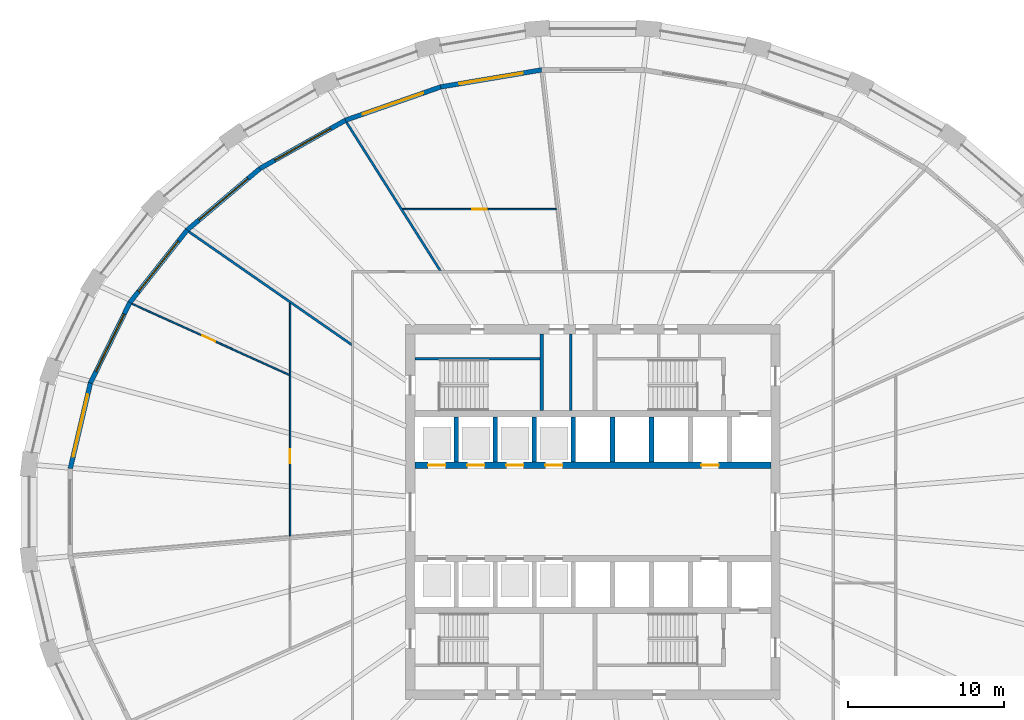
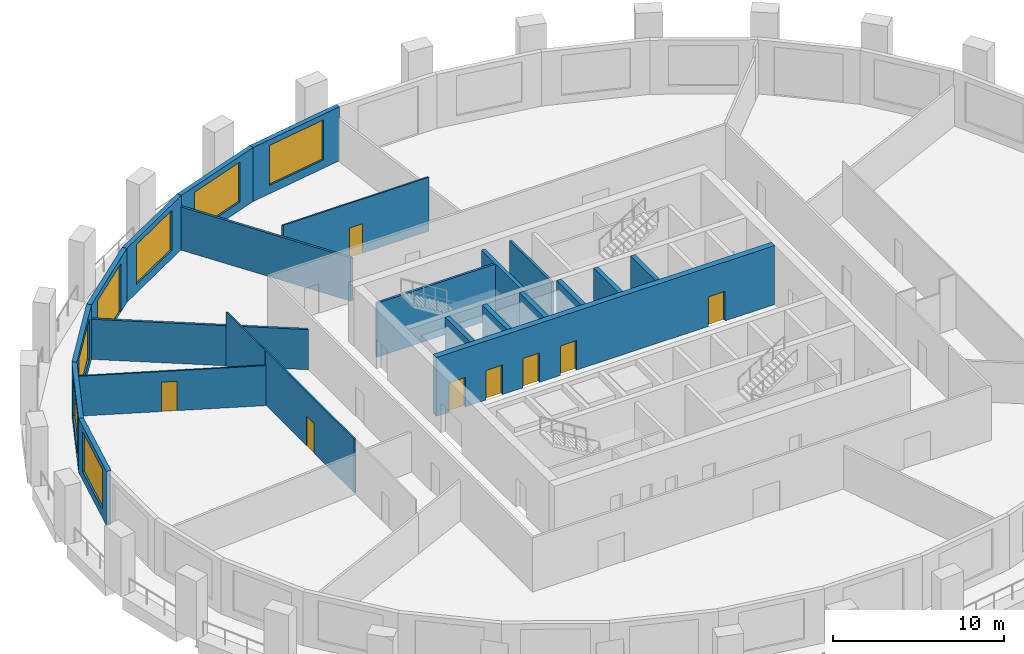
# One storey, part 5 of 10: 22 walls, 9 doors, 6 windows, 15 openings.
"""IFC4 building model written with IfcOpenShell, lengths in metres."""

from ifc_helpers import new_model, si_unit, direction, frame, frame_2d, origin, place, context, subcontext, project, spatial, polyline, rectangle, outline, extrude, material, layer, layer_set, type_object, element, fill, save


model = new_model("IFC4")

# Units and contexts
model_context = context("Model", 3, precision=1e-05, world=origin(), true_north=direction((0.0, 1.0)))
body_context = subcontext(model_context, "Body", "Model", "MODEL_VIEW")
ifc_project = project(units=[si_unit("LENGTHUNIT", "METRE"), si_unit("AREAUNIT", "SQUARE_METRE"), si_unit("VOLUMEUNIT", "CUBIC_METRE"), si_unit("PLANEANGLEUNIT", "RADIAN"), si_unit("MASSUNIT", "GRAM", prefix="KILO")], contexts=[model_context])

# Site, building, storey
site_placement = place(None, origin())
site = spatial("IfcSite", under=ifc_project, at=site_placement, CompositionType="ELEMENT")
building_placement = place(site_placement, origin())
building = spatial("IfcBuilding", under=site, at=building_placement, Name="Halqa Exchange Tower", CompositionType="ELEMENT")
storey_placement = place(building_placement, frame((0.0, 0.0, 94.89990234375)))
storey = spatial("IfcBuildingStorey", under=building, at=storey_placement, Name="L21", CompositionType="ELEMENT", Elevation=94.89990234375)

# Walls
ifc_material_1 = material(Name="Fire-rated gypsum board")
ifc_layer_1 = layer(ifc_material_1, 0.14990234375)
ifc_layer_set_1 = layer_set([ifc_layer_1], Name="Fire-rated gypsum board")
wall_type_1 = type_object("IfcWallType", Name="Fire partition EI 60 150", PredefinedType="PARTITIONING", material=ifc_layer_set_1)
wall_1_placement = place(storey_placement, frame((-25.888427734375, 17.96240234375, 0.0), z_axis=(0.0, 0.0, 1.0), x_axis=(0.821411896375, -0.570335424547, 0.0)))
element("IfcWall", 1, at=wall_1_placement, inside=storey, type_object=wall_type_1, Name="L21-PWL-003", PredefinedType="PARTITIONING", context=body_context, shape_type="SweptSolid", body=[
    extrude(outline(polyline([(0.0, -0.074951171875), (1.60107421875, -0.074951171875), (3.2021484375, -0.074951171875), (4.80322265625, -0.074951171875), (6.404541015625, -0.074951171875), (8.005615234375, -0.074951171875), (8.010009765625, -0.072021484375), (8.011962890625, -0.074951171875), (9.58447265625, -0.074951171875), (11.15673828125, -0.074951171875), (12.729248046875, -0.074951171875), (12.729248046875, -0.074462890625), (12.6787109375, -0.001708984375), (12.6787109375, -0.001708984375), (12.62548828125, 0.074951171875), (10.825439453125, 0.074951171875), (9.025390625, 0.074951171875), (7.225341796875, 0.074951171875), (5.42529296875, 0.074951171875), (3.625244140625, 0.074951171875), (1.8251953125, 0.074951171875), (0.025146484375, 0.074951171875), (0.00390625, -0.004150390625), (0.0, -0.066650390625), (0.0, -0.074951171875)])), origin(), (0.0, 0.0, 1.0), 2.860107421875),
])
wall_2_placement = place(storey_placement, frame((-15.789306640625, 24.9658203125, 0.0), z_axis=(0.0, 0.0, 1.0), x_axis=(0.53447919721, -0.845181630036, 0.0)))
element("IfcWall", 2, at=wall_2_placement, inside=storey, type_object=wall_type_1, Name="L21-PWL-008", PredefinedType="PARTITIONING", context=body_context, shape_type="SweptSolid", body=[
    extrude(outline(polyline([(0.0, -0.074951171875), (1.86376953125, -0.074951171875), (3.727294921875, -0.074951171875), (5.591064453125, -0.074951171875), (7.45458984375, -0.074951171875), (9.318359375, -0.074951171875), (11.181884765625, -0.074951171875), (11.276611328125, 0.07470703125), (11.276611328125, 0.074951171875), (9.748291015625, 0.074951171875), (8.22021484375, 0.074951171875), (6.69189453125, 0.074951171875), (6.690185546875, 0.072265625), (6.685791015625, 0.074951171875), (5.01953125, 0.074951171875), (3.353271484375, 0.074951171875), (1.687255859375, 0.074951171875), (0.02099609375, 0.074951171875), (0.003662109375, 0.000732421875), (0.0, -0.0732421875), (0.0, -0.074951171875)])), origin(), (0.0, 0.0, 1.0), 3.080078125),
])

# Wall, opening, door
ifc_material_2 = material(Name="Gypsum board")
ifc_layer_2 = layer(ifc_material_2, 0.10009765625)
ifc_layer_set_2 = layer_set([ifc_layer_2], Name="Gypsum board")
wall_type_2 = type_object("IfcWallType", Name="Partition 100 gypsum", PredefinedType="PARTITIONING", material=ifc_layer_set_2)
wall_3_placement = place(storey_placement, frame((-19.39990234375, -1.5419921875, 0.0), z_axis=(0.0, 0.0, 1.0), x_axis=(0.0, 1.0, 0.0)))
wall_3 = element("IfcWall", 3, at=wall_3_placement, inside=storey, type_object=wall_type_2, Name="L21-PWL-006", PredefinedType="PARTITIONING", context=body_context, shape_type="SweptSolid", body=[
    extrude(outline(polyline([(0.0078125, -0.050048828125), (1.865966796875, -0.050048828125), (3.72412109375, -0.050048828125), (5.582275390625, -0.050048828125), (7.440673828125, -0.050048828125), (9.298828125, -0.050048828125), (11.156982421875, -0.050048828125), (13.01513671875, -0.050048828125), (14.873291015625, -0.050048828125), (14.927001953125, 0.027587890625), (14.927001953125, 0.02734375), (14.9423828125, 0.049560546875), (14.9423828125, 0.050048828125), (13.42138671875, 0.050048828125), (11.900390625, 0.050048828125), (10.37939453125, 0.050048828125), (10.37841796875, 0.0478515625), (10.37353515625, 0.050048828125), (8.64453125, 0.050048828125), (6.915771484375, 0.050048828125), (5.186767578125, 0.050048828125), (3.457763671875, 0.050048828125), (1.72900390625, 0.050048828125), (0.0, 0.050048828125), (0.0, 0.044677734375), (0.0078125, -0.050048828125)])), origin(), (0.0, 0.0, 1.0), 3.85009765625),
])
opening_1_placement = place(wall_3_placement, frame((4.6669921875, 0.0, 0.0)))
opening_1 = element("IfcOpeningElement", 4, at=opening_1_placement, cuts=wall_3, Name="Opening 06-14", PredefinedType="OPENING", context=body_context, shape_type="SweptSolid", body=[
    extrude(rectangle(XDim=0.89990234375, YDim=2.10009765625, at=frame_2d((0.449951171875, 1.050048828125))), frame((0.0, 0.06201171875, 0.0), z_axis=(0.0, -1.0, 0.0), x_axis=(1.0, 0.0, 0.0)), (0.0, 0.0, 1.0), 0.1240234375),
])
ifc_material_3 = material(Name="Timber door leaf", Category="wood")
door_type_1 = type_object("IfcDoorType", Name="Door 900 x 2100", OperationType="SINGLE_SWING_LEFT", PredefinedType="DOOR", material=ifc_material_3)
door_1_placement = place(opening_1_placement, frame((0.89990234375, 0.0, 0.0), z_axis=(0.0, 0.0, 1.0), x_axis=(-1.0, 0.0, 0.0)))
door_1 = element("IfcDoor", 5, at=door_1_placement, inside=storey, type_object=door_type_1, Name="L21-IDR-014", OperationType="SINGLE_SWING_LEFT", OverallHeight=2.10009765625, OverallWidth=0.89990234375, PredefinedType="DOOR", context=body_context, shape_type="SweptSolid", body=[
    extrude(rectangle(XDim=0.89990234375, YDim=2.10009765625, at=frame_2d((0.449951171875, 1.050048828125))), frame((0.0, 0.02490234375, 0.0), z_axis=(0.0, -1.0, 0.0), x_axis=(1.0, 0.0, 0.0)), (0.0, 0.0, 1.0), 0.050048828125),
])
fill(opening_1, door_1)

wall_4_placement = place(storey_placement, frame((-19.4296875, 8.7734375, 0.0), z_axis=(0.0, 0.0, 1.0), x_axis=(-0.911086470292, 0.412215287987, 0.0)))
wall_4 = element("IfcWall", 6, at=wall_4_placement, inside=storey, type_object=wall_type_2, Name="L21-PWL-007", PredefinedType="PARTITIONING", context=body_context, shape_type="SweptSolid", body=[
    extrude(outline(polyline([(0.044921875, -0.050048828125), (1.8837890625, -0.050048828125), (3.722412109375, -0.050048828125), (5.561279296875, -0.050048828125), (7.39990234375, -0.050048828125), (9.23876953125, -0.050048828125), (11.077392578125, -0.050048828125), (11.090576171875, 0.00244140625), (11.092041015625, 0.050048828125), (9.243408203125, 0.050048828125), (7.394775390625, 0.050048828125), (5.5458984375, 0.050048828125), (3.697265625, 0.050048828125), (1.8486328125, 0.050048828125), (0.0, 0.050048828125), (0.0, 0.04931640625), (0.044921875, -0.050048828125)])), origin(), (0.0, 0.0, 1.0), 2.85009765625),
])
opening_2_placement = place(wall_4_placement, frame((5.23046875, 0.0, 0.0)))
opening_2 = element("IfcOpeningElement", 7, at=opening_2_placement, cuts=wall_4, Name="Opening 06-15", PredefinedType="OPENING", context=body_context, shape_type="SweptSolid", body=[
    extrude(rectangle(XDim=0.89990234375, YDim=2.10009765625, at=frame_2d((0.449951171875, 1.050048828125))), frame((0.0, 0.06201171875, 0.0), z_axis=(0.0, -1.0, 0.0), x_axis=(1.0, 0.0, 0.0)), (0.0, 0.0, 1.0), 0.1240234375),
])
door_2_placement = place(opening_2_placement, frame((0.89990234375, 0.0, 0.0), z_axis=(0.0, 0.0, 1.0), x_axis=(-1.0, 0.0, 0.0)))
door_2 = element("IfcDoor", 8, at=door_2_placement, inside=storey, type_object=door_type_1, Name="L21-IDR-015", OperationType="SINGLE_SWING_LEFT", OverallHeight=2.10009765625, OverallWidth=0.89990234375, PredefinedType="DOOR", context=body_context, shape_type="SweptSolid", body=[
    extrude(rectangle(XDim=0.89990234375, YDim=2.10009765625, at=frame_2d((0.449951171875, 1.050048828125))), frame((0.0, 0.02490234375, 0.0), z_axis=(0.0, -1.0, 0.0), x_axis=(1.0, 0.0, 0.0)), (0.0, 0.0, 1.0), 0.050048828125),
])
fill(opening_2, door_2)

wall_5_placement = place(storey_placement, frame((-12.2119140625, 19.39990234375, 0.0), z_axis=(0.0, 0.0, 1.0), x_axis=(1.0, 0.0, 0.0)))
wall_5 = element("IfcWall", 9, at=wall_5_placement, inside=storey, type_object=wall_type_2, Name="L21-PWL-012", PredefinedType="PARTITIONING", context=body_context, shape_type="SweptSolid", body=[
    extrude(outline(polyline([(9.8818359375, -0.050048828125), (9.8818359375, -0.046630859375), (9.87060546875, 0.050048828125), (7.896484375, 0.050048828125), (5.92236328125, 0.050048828125), (3.9482421875, 0.050048828125), (1.97412109375, 0.050048828125), (0.0, 0.050048828125), (0.0, 0.04931640625), (0.062744140625, -0.050048828125), (2.026611328125, -0.050048828125), (3.990478515625, -0.050048828125), (5.9541015625, -0.050048828125), (7.91796875, -0.050048828125), (9.8818359375, -0.050048828125)])), origin(), (0.0, 0.0, 1.0), 3.85009765625),
])
opening_3_placement = place(wall_5_placement, frame((4.4970703125, 0.0, 0.0)))
opening_3 = element("IfcOpeningElement", 10, at=opening_3_placement, cuts=wall_5, Name="Opening 06-13", PredefinedType="OPENING", context=body_context, shape_type="SweptSolid", body=[
    extrude(rectangle(XDim=0.89990234375, YDim=2.10009765625, at=frame_2d((0.449951171875, 1.050048828125))), frame((0.0, 0.06201171875, 0.0), z_axis=(0.0, -1.0, 0.0), x_axis=(1.0, 0.0, 0.0)), (0.0, 0.0, 1.0), 0.1240234375),
])
door_3_placement = place(opening_3_placement, frame((0.89990234375, 0.0, 0.0), z_axis=(0.0, 0.0, 1.0), x_axis=(-1.0, 0.0, 0.0)))
door_3 = element("IfcDoor", 11, at=door_3_placement, inside=storey, type_object=door_type_1, Name="L21-IDR-013", OperationType="SINGLE_SWING_RIGHT", OverallHeight=2.10009765625, OverallWidth=0.89990234375, PredefinedType="DOOR", context=body_context, shape_type="SweptSolid", body=[
    extrude(rectangle(XDim=0.89990234375, YDim=2.10009765625, at=frame_2d((0.449951171875, 1.050048828125))), frame((0.0, 0.02490234375, 0.0), z_axis=(0.0, -1.0, 0.0), x_axis=(1.0, 0.0, 0.0)), (0.0, 0.0, 1.0), 0.050048828125),
])
fill(opening_3, door_3)

# Walls
ifc_layer_3 = layer(ifc_material_2, 0.14990234375)
ifc_layer_set_3 = layer_set([ifc_layer_3], Name="Gypsum board")
wall_type_3 = type_object("IfcWallType", Name="Penthouse riser wall 150 gypsum", PredefinedType="PARTITIONING", material=ifc_layer_set_3)
wall_6_placement = place(storey_placement, frame((-1.425048828125, 6.5, 0.0), z_axis=(0.0, 0.0, 1.0), x_axis=(0.0, 1.0, 0.0)))
element("IfcWall", 12, at=wall_6_placement, inside=storey, type_object=wall_type_3, Name="Partition W1.425 N", PredefinedType="PARTITIONING", context=body_context, shape_type="SweptSolid", body=[
    extrude(rectangle(XDim=4.89990234375, YDim=0.14990234375, at=frame_2d((2.449951171875, 0.0))), origin(), (0.0, 0.0, 1.0), 3.85009765625),
])
ifc_material_4 = material(Name="Concrete C60/75", Category="concrete")
ifc_layer_4 = layer(ifc_material_4, 0.300048828125)
ifc_layer_set_4 = layer_set([ifc_layer_4], Name="Concrete C60/75")
wall_type_4 = type_object("IfcWallType", Name="RC core wall 300", PredefinedType="SHEAR", material=ifc_layer_set_4)
for number, where, z_axis, x_axis, name in (
    (13, (-8.75, 3.199951171875, 0.0), (0.0, 0.0, 1.0), (0.0, 1.0, 0.0), "Shaft divider N1"),
    (14, (-6.25, 3.199951171875, 0.0), (0.0, 0.0, 1.0), (0.0, 1.0, 0.0), "Shaft divider N2"),
    (15, (-3.75, 3.199951171875, 0.0), (0.0, 0.0, 1.0), (0.0, 1.0, 0.0), "Shaft divider N3"),
    (16, (-1.25, 3.199951171875, 0.0), (0.0, 0.0, 1.0), (0.0, 1.0, 0.0), "Shaft divider N4"),
    (17, (1.25, 3.199951171875, 0.0), (0.0, 0.0, 1.0), (0.0, 1.0, 0.0), "Shaft divider N5"),
    (18, (3.75, 3.199951171875, 0.0), (0.0, 0.0, 1.0), (0.0, 1.0, 0.0), "Shaft divider N6"),
):
    element("IfcWall", number, at=place(storey_placement, frame(where, z_axis=z_axis, x_axis=x_axis)), inside=storey, type_object=wall_type_4, Name=name, PredefinedType="SHEAR", context=body_context, shape_type="SweptSolid", body=[
        extrude(rectangle(XDim=2.900146484375, YDim=0.300048828125, at=frame_2d((1.4501953125, 0.0))), origin(), (0.0, 0.0, 1.0), 4.2001953125),
    ])

# Wall, openings, doors
ifc_material_5 = material(Name="Concrete C80/95", Category="concrete")
ifc_layer_5 = layer(ifc_material_5, 0.39990234375)
ifc_layer_set_5 = layer_set([ifc_layer_5], Name="Concrete C80/95")
wall_type_5 = type_object("IfcWallType", Name="RC core wall 400 C80/95", PredefinedType="SHEAR", material=ifc_layer_set_5)
wall_7_placement = place(storey_placement, frame((-11.39990234375, 3.0, 0.0), z_axis=(0.0, 0.0, 1.0), x_axis=(1.0, 0.0, 0.0)))
wall_7 = element("IfcWall", 19, at=wall_7_placement, inside=storey, type_object=wall_type_5, Name="Lift row front wall N", PredefinedType="SHEAR", context=body_context, shape_type="SweptSolid", body=[
    extrude(rectangle(XDim=22.7998046875, YDim=0.39990234375, at=frame_2d((11.39990234375, 0.0))), origin(), (0.0, 0.0, 1.0), 4.2001953125),
])
opening_4_placement = place(wall_7_placement, frame((0.85009765625, 0.0, 0.0)))
opening_4 = element("IfcOpeningElement", 20, at=opening_4_placement, cuts=wall_7, Name="Opening LD-LR1-T06", PredefinedType="OPENING", context=body_context, shape_type="SweptSolid", body=[
    extrude(rectangle(XDim=1.10009765625, YDim=2.10009765625, at=frame_2d((0.550048828125, 1.050048828125))), frame((0.0, 0.2119140625, 0.0), z_axis=(0.0, -1.0, 0.0), x_axis=(1.0, 0.0, 0.0)), (0.0, 0.0, 1.0), 0.423828125),
])
opening_5_placement = place(wall_7_placement, frame((3.35009765625, 0.0, 0.0)))
opening_5 = element("IfcOpeningElement", 21, at=opening_5_placement, cuts=wall_7, Name="Opening LD-LR2-T06", PredefinedType="OPENING", context=body_context, shape_type="SweptSolid", body=[
    extrude(rectangle(XDim=1.10009765625, YDim=2.10009765625, at=frame_2d((0.550048828125, 1.050048828125))), frame((0.0, 0.2119140625, 0.0), z_axis=(0.0, -1.0, 0.0), x_axis=(1.0, 0.0, 0.0)), (0.0, 0.0, 1.0), 0.423828125),
])
opening_6_placement = place(wall_7_placement, frame((5.85009765625, 0.0, 0.0)))
opening_6 = element("IfcOpeningElement", 22, at=opening_6_placement, cuts=wall_7, Name="Opening LD-LR3-T06", PredefinedType="OPENING", context=body_context, shape_type="SweptSolid", body=[
    extrude(rectangle(XDim=1.10009765625, YDim=2.10009765625, at=frame_2d((0.550048828125, 1.050048828125))), frame((0.0, 0.2119140625, 0.0), z_axis=(0.0, -1.0, 0.0), x_axis=(1.0, 0.0, 0.0)), (0.0, 0.0, 1.0), 0.423828125),
])
opening_7_placement = place(wall_7_placement, frame((8.35009765625, 0.0, 0.0)))
opening_7 = element("IfcOpeningElement", 23, at=opening_7_placement, cuts=wall_7, Name="Opening LD-LR4-T06", PredefinedType="OPENING", context=body_context, shape_type="SweptSolid", body=[
    extrude(rectangle(XDim=1.10009765625, YDim=2.10009765625, at=frame_2d((0.550048828125, 1.050048828125))), frame((0.0, 0.2119140625, 0.0), z_axis=(0.0, -1.0, 0.0), x_axis=(1.0, 0.0, 0.0)), (0.0, 0.0, 1.0), 0.423828125),
])
opening_8_placement = place(wall_7_placement, frame((18.35009765625, 0.0, 0.0)))
opening_8 = element("IfcOpeningElement", 24, at=opening_8_placement, cuts=wall_7, Name="Opening LD-SV1-T06", PredefinedType="OPENING", context=body_context, shape_type="SweptSolid", body=[
    extrude(rectangle(XDim=1.10009765625, YDim=2.10009765625, at=frame_2d((0.550048828125, 1.050048828125))), frame((0.0, 0.2119140625, 0.0), z_axis=(0.0, -1.0, 0.0), x_axis=(1.0, 0.0, 0.0)), (0.0, 0.0, 1.0), 0.423828125),
])
ifc_material_6 = material(Name="Stainless steel", Category="steel")
door_type_2 = type_object("IfcDoorType", Name="Lift landing door 1100 x 2100", OperationType="SLIDING_TO_LEFT", PredefinedType="DOOR", material=ifc_material_6)
door_4_placement = place(opening_4_placement, origin())
door_4 = element("IfcDoor", 25, at=door_4_placement, inside=storey, type_object=door_type_2, Name="Lift landing door LR1", OperationType="SLIDING_TO_LEFT", OverallHeight=2.10009765625, OverallWidth=1.10009765625, PredefinedType="DOOR", context=body_context, shape_type="SweptSolid", body=[
    extrude(rectangle(XDim=1.10009765625, YDim=2.10009765625, at=frame_2d((0.550048828125, 1.050048828125))), frame((0.0, 0.02490234375, 0.0), z_axis=(0.0, -1.0, 0.0), x_axis=(1.0, 0.0, 0.0)), (0.0, 0.0, 1.0), 0.050048828125),
])
fill(opening_4, door_4)
door_5_placement = place(opening_5_placement, origin())
door_5 = element("IfcDoor", 26, at=door_5_placement, inside=storey, type_object=door_type_2, Name="Lift landing door LR2", OperationType="SLIDING_TO_LEFT", OverallHeight=2.10009765625, OverallWidth=1.10009765625, PredefinedType="DOOR", context=body_context, shape_type="SweptSolid", body=[
    extrude(rectangle(XDim=1.10009765625, YDim=2.10009765625, at=frame_2d((0.550048828125, 1.050048828125))), frame((0.0, 0.02490234375, 0.0), z_axis=(0.0, -1.0, 0.0), x_axis=(1.0, 0.0, 0.0)), (0.0, 0.0, 1.0), 0.050048828125),
])
fill(opening_5, door_5)
door_6_placement = place(opening_6_placement, origin())
door_6 = element("IfcDoor", 27, at=door_6_placement, inside=storey, type_object=door_type_2, Name="Lift landing door LR3", OperationType="SLIDING_TO_LEFT", OverallHeight=2.10009765625, OverallWidth=1.10009765625, PredefinedType="DOOR", context=body_context, shape_type="SweptSolid", body=[
    extrude(rectangle(XDim=1.10009765625, YDim=2.10009765625, at=frame_2d((0.550048828125, 1.050048828125))), frame((0.0, 0.02490234375, 0.0), z_axis=(0.0, -1.0, 0.0), x_axis=(1.0, 0.0, 0.0)), (0.0, 0.0, 1.0), 0.050048828125),
])
fill(opening_6, door_6)
door_7_placement = place(opening_7_placement, origin())
door_7 = element("IfcDoor", 28, at=door_7_placement, inside=storey, type_object=door_type_2, Name="Lift landing door LR4", OperationType="SLIDING_TO_LEFT", OverallHeight=2.10009765625, OverallWidth=1.10009765625, PredefinedType="DOOR", context=body_context, shape_type="SweptSolid", body=[
    extrude(rectangle(XDim=1.10009765625, YDim=2.10009765625, at=frame_2d((0.550048828125, 1.050048828125))), frame((0.0, 0.02490234375, 0.0), z_axis=(0.0, -1.0, 0.0), x_axis=(1.0, 0.0, 0.0)), (0.0, 0.0, 1.0), 0.050048828125),
])
fill(opening_7, door_7)
door_8_placement = place(opening_8_placement, origin())
door_8 = element("IfcDoor", 29, at=door_8_placement, inside=storey, type_object=door_type_2, Name="Lift landing door SV1", OperationType="SLIDING_TO_LEFT", OverallHeight=2.10009765625, OverallWidth=1.10009765625, PredefinedType="DOOR", context=body_context, shape_type="SweptSolid", body=[
    extrude(rectangle(XDim=1.10009765625, YDim=2.10009765625, at=frame_2d((0.550048828125, 1.050048828125))), frame((0.0, 0.02490234375, 0.0), z_axis=(0.0, -1.0, 0.0), x_axis=(1.0, 0.0, 0.0)), (0.0, 0.0, 1.0), 0.050048828125),
])
fill(opening_8, door_8)

# Walls
ifc_material_7 = material(Name="Concrete C30/37", Category="concrete")
ifc_layer_6 = layer(ifc_material_7, 0.14990234375)
ifc_layer_set_6 = layer_set([ifc_layer_6], Name="Concrete C30/37")
wall_type_6 = type_object("IfcWallType", Name="RC stair wall 150 C30/37", PredefinedType="SHEAR", material=ifc_layer_set_6)
wall_8_placement = place(storey_placement, frame((-11.39990234375, 9.824951171875, 0.0), z_axis=(0.0, 0.0, 1.0), x_axis=(1.0, 0.0, 0.0)))
element("IfcWall", 30, at=wall_8_placement, inside=storey, type_object=wall_type_6, Name="Stair ST1 north wall N", PredefinedType="SHEAR", context=body_context, shape_type="SweptSolid", body=[
    extrude(rectangle(XDim=8.0, YDim=0.14990234375, at=frame_2d((4.0, 0.0))), origin(), (0.0, 0.0, 1.0), 3.85009765625),
])
ifc_layer_7 = layer(ifc_material_7, 0.25)
ifc_layer_set_7 = layer_set([ifc_layer_7], Name="Concrete C30/37")
wall_type_7 = type_object("IfcWallType", Name="RC stair wall 250 C30/37", PredefinedType="SHEAR", material=ifc_layer_set_7)
wall_9_placement = place(storey_placement, frame((-3.27490234375, 6.5, 0.0), z_axis=(0.0, 0.0, 1.0), x_axis=(0.0, 1.0, 0.0)))
element("IfcWall", 31, at=wall_9_placement, inside=storey, type_object=wall_type_7, Name="Stair ST1 east wall N", PredefinedType="SHEAR", context=body_context, shape_type="SweptSolid", body=[
    extrude(rectangle(XDim=4.89990234375, YDim=0.25, at=frame_2d((2.449951171875, 0.0))), origin(), (0.0, 0.0, 1.0), 3.85009765625),
])

# Wall, opening, window
ifc_material_8 = material(Name="Limestone cladding", Category="masonry")
ifc_layer_8 = layer(ifc_material_8, 0.0400390625)
ifc_material_9 = material(Name="Ventilated cavity")
ifc_layer_9 = layer(ifc_material_9, 0.030029296875, ventilated=True)
ifc_material_10 = material(Name="Mineral wool insulation")
ifc_layer_10 = layer(ifc_material_10, 0.10009765625)
ifc_layer_11 = layer(ifc_material_7, 0.10009765625)
ifc_material_11 = material(Name="Internal plaster")
ifc_layer_12 = layer(ifc_material_11, 0.030029296875)
ifc_layer_set_8 = layer_set([ifc_layer_8, ifc_layer_9, ifc_layer_10, ifc_layer_11, ifc_layer_12], Name="Stone-faced insulated wall 300")
wall_type_8 = type_object("IfcWallType", Name="Stone-faced insulated wall 300", PredefinedType="STANDARD", material=ifc_layer_set_8)
wall_10_placement = place(storey_placement, frame((-3.294921875, 28.319091796875, 0.0), z_axis=(0.0, 0.0, 1.0), x_axis=(-0.986162431544, -0.165781961053, 0.0)))
wall_10 = element("IfcWall", 32, at=wall_10_placement, inside=storey, type_object=wall_type_8, Name="Glass-line wall 9", PredefinedType="STANDARD", context=body_context, shape_type="SweptSolid", body=[
    extrude(outline(polyline([(-0.012451171875, -0.14990234375), (6.567626953125, -0.14990234375), (6.542236328125, 0.14990234375), (0.012451171875, 0.14990234375), (-0.012451171875, -0.14990234375)])), origin(), (0.0, 0.0, 1.0), 3.85009765625),
])
opening_9_placement = place(wall_10_placement, frame((1.227294921875, 0.0, 0.60009765625)))
opening_9 = element("IfcOpeningElement", 33, at=opening_9_placement, cuts=wall_10, Name="Opening W-F1-09", PredefinedType="OPENING", context=body_context, shape_type="SweptSolid", body=[
    extrude(rectangle(XDim=4.10009765625, YDim=2.85009765625, at=frame_2d((2.050048828125, 1.425048828125))), frame((0.0, 0.162109375, 0.0), z_axis=(0.0, -1.0, 0.0), x_axis=(1.0, 0.0, 0.0)), (0.0, 0.0, 1.0), 0.323974609375),
])
ifc_material_12 = material(Name="Clear low-emissivity glass in aluminium frame", Category="aluminium")
window_type = type_object("IfcWindowType", Name="Fixed clear glazed window 4100 x 2850", PartitioningType="TRIPLE_PANEL_VERTICAL", PredefinedType="WINDOW", material=ifc_material_12)
window_1_placement = place(opening_9_placement, origin())
window_1 = element("IfcWindow", 34, at=window_1_placement, inside=storey, type_object=window_type, Name="Window 1", OverallHeight=2.85009765625, OverallWidth=4.10009765625, PartitioningType="TRIPLE_PANEL_VERTICAL", PredefinedType="WINDOW", context=body_context, shape_type="SweptSolid", body=[
    extrude(rectangle(XDim=4.10009765625, YDim=2.85009765625, at=frame_2d((2.050048828125, 1.425048828125))), frame((0.0, 0.030029296875, 0.0), z_axis=(0.0, -1.0, 0.0), x_axis=(1.0, 0.0, 0.0)), (0.0, 0.0, 1.0), 0.06005859375),
])
fill(opening_9, window_1)

wall_11_placement = place(storey_placement, frame((-9.759033203125, 27.232421875, 0.0), z_axis=(0.0, 0.0, 1.0), x_axis=(-0.943820008365, -0.330459970057, 0.0)))
wall_11 = element("IfcWall", 35, at=wall_11_placement, inside=storey, type_object=wall_type_8, Name="Glass-line wall 10", PredefinedType="STANDARD", context=body_context, shape_type="SweptSolid", body=[
    extrude(outline(polyline([(-0.0126953125, -0.14990234375), (6.466064453125, -0.14990234375), (6.439208984375, 0.14990234375), (0.0126953125, 0.14990234375), (-0.0126953125, -0.14990234375)])), origin(), (0.0, 0.0, 1.0), 3.85009765625),
])
opening_10_placement = place(wall_11_placement, frame((1.17626953125, 0.0, 0.60009765625)))
opening_10 = element("IfcOpeningElement", 36, at=opening_10_placement, cuts=wall_11, Name="Opening W-F1-10", PredefinedType="OPENING", context=body_context, shape_type="SweptSolid", body=[
    extrude(rectangle(XDim=4.10009765625, YDim=2.85009765625, at=frame_2d((2.050048828125, 1.425048828125))), frame((0.0, 0.162109375, 0.0), z_axis=(0.0, -1.0, 0.0), x_axis=(1.0, 0.0, 0.0)), (0.0, 0.0, 1.0), 0.323974609375),
])
window_2_placement = place(opening_10_placement, origin())
window_2 = element("IfcWindow", 37, at=window_2_placement, inside=storey, type_object=window_type, Name="Window 1", OverallHeight=2.85009765625, OverallWidth=4.10009765625, PartitioningType="TRIPLE_PANEL_VERTICAL", PredefinedType="WINDOW", context=body_context, shape_type="SweptSolid", body=[
    extrude(rectangle(XDim=4.10009765625, YDim=2.85009765625, at=frame_2d((2.050048828125, 1.425048828125))), frame((0.0, 0.030029296875, 0.0), z_axis=(0.0, -1.0, 0.0), x_axis=(1.0, 0.0, 0.0)), (0.0, 0.0, 1.0), 0.06005859375),
])
fill(opening_10, window_2)

wall_12_placement = place(storey_placement, frame((-15.84912109375, 25.10009765625, 0.0), z_axis=(0.0, 0.0, 1.0), x_axis=(-0.870737550302, -0.491748023376, 0.0)))
wall_12 = element("IfcWall", 38, at=wall_12_placement, inside=storey, type_object=wall_type_8, Name="Glass-line wall 11", PredefinedType="STANDARD", context=body_context, shape_type="SweptSolid", body=[
    extrude(outline(polyline([(-0.013427734375, -0.14990234375), (6.310546875, -0.14990234375), (6.2822265625, 0.14990234375), (0.013427734375, 0.14990234375), (-0.013427734375, -0.14990234375)])), origin(), (0.0, 0.0, 1.0), 3.85009765625),
])
opening_11_placement = place(wall_12_placement, frame((1.09814453125, 0.0, 0.60009765625)))
opening_11 = element("IfcOpeningElement", 39, at=opening_11_placement, cuts=wall_12, Name="Opening W-F1-11", PredefinedType="OPENING", context=body_context, shape_type="SweptSolid", body=[
    extrude(rectangle(XDim=4.10009765625, YDim=2.85009765625, at=frame_2d((2.050048828125, 1.425048828125))), frame((0.0, 0.162109375, 0.0), z_axis=(0.0, -1.0, 0.0), x_axis=(1.0, 0.0, 0.0)), (0.0, 0.0, 1.0), 0.323974609375),
])
window_3_placement = place(opening_11_placement, origin())
window_3 = element("IfcWindow", 40, at=window_3_placement, inside=storey, type_object=window_type, Name="Window 1", OverallHeight=2.85009765625, OverallWidth=4.10009765625, PartitioningType="TRIPLE_PANEL_VERTICAL", PredefinedType="WINDOW", context=body_context, shape_type="SweptSolid", body=[
    extrude(rectangle(XDim=4.10009765625, YDim=2.85009765625, at=frame_2d((2.050048828125, 1.425048828125))), frame((0.0, 0.030029296875, 0.0), z_axis=(0.0, -1.0, 0.0), x_axis=(1.0, 0.0, 0.0)), (0.0, 0.0, 1.0), 0.06005859375),
])
fill(opening_11, window_3)

# Wall, opening, door
wall_13_placement = place(storey_placement, frame((-21.33154296875, 22.00390625, 0.0), z_axis=(0.0, 0.0, 1.0), x_axis=(-0.763753100684, -0.645508482667, 0.0)))
wall_13 = element("IfcWall", 41, at=wall_13_placement, inside=storey, type_object=wall_type_8, Name="Glass-line wall 12", PredefinedType="STANDARD", context=body_context, shape_type="SweptSolid", body=[
    extrude(outline(polyline([(-0.01416015625, -0.14990234375), (6.12255859375, -0.14990234375), (6.09228515625, 0.14990234375), (0.01416015625, 0.14990234375), (-0.01416015625, -0.14990234375)])), origin(), (0.0, 0.0, 1.0), 3.85009765625),
])
opening_12_placement = place(wall_13_placement, frame((1.003662109375, 0.0, 0.0)))
opening_12 = element("IfcOpeningElement", 42, at=opening_12_placement, cuts=wall_13, Name="Opening LG-F1-03", PredefinedType="OPENING", context=body_context, shape_type="SweptSolid", body=[
    extrude(rectangle(XDim=4.10009765625, YDim=3.449951171875, at=frame_2d((2.050048828125, 1.72509765625))), frame((0.0, 0.162109375, 0.0), z_axis=(0.0, -1.0, 0.0), x_axis=(1.0, 0.0, 0.0)), (0.0, 0.0, 1.0), 0.323974609375),
])
door_type_3 = type_object("IfcDoorType", Name="Glazed sliding loggia door 4100 x 3450", OperationType="DOUBLE_DOOR_SLIDING", PredefinedType="DOOR", material=ifc_material_12)
door_9_placement = place(opening_12_placement, origin())
door_9 = element("IfcDoor", 43, at=door_9_placement, inside=storey, type_object=door_type_3, Name="Loggia door 3", OperationType="DOUBLE_DOOR_SLIDING", OverallHeight=3.449951171875, OverallWidth=4.10009765625, PredefinedType="DOOR", context=body_context, shape_type="SweptSolid", body=[
    extrude(rectangle(XDim=4.10009765625, YDim=3.449951171875, at=frame_2d((2.050048828125, 1.72509765625))), frame((0.0, 0.02490234375, 0.0), z_axis=(0.0, -1.0, 0.0), x_axis=(1.0, 0.0, 0.0)), (0.0, 0.0, 1.0), 0.050048828125),
])
fill(opening_12, door_9)

# Wall, opening, window
wall_14_placement = place(storey_placement, frame((-25.99609375, 18.0615234375, 0.0), z_axis=(0.0, 0.0, 1.0), x_axis=(-0.620142219764, -0.784489405452, 0.0)))
wall_14 = element("IfcWall", 44, at=wall_14_placement, inside=storey, type_object=wall_type_8, Name="Glass-line wall 13", PredefinedType="STANDARD", context=body_context, shape_type="SweptSolid", body=[
    extrude(outline(polyline([(-0.01513671875, -0.14990234375), (5.928466796875, -0.14990234375), (5.896240234375, 0.14990234375), (0.01513671875, 0.14990234375), (-0.01513671875, -0.14990234375)])), origin(), (0.0, 0.0, 1.0), 3.85009765625),
])
opening_13_placement = place(wall_14_placement, frame((0.90625, 0.0, 0.60009765625)))
opening_13 = element("IfcOpeningElement", 45, at=opening_13_placement, cuts=wall_14, Name="Opening W-F1-13", PredefinedType="OPENING", context=body_context, shape_type="SweptSolid", body=[
    extrude(rectangle(XDim=4.10009765625, YDim=2.85009765625, at=frame_2d((2.050048828125, 1.425048828125))), frame((0.0, 0.162109375, 0.0), z_axis=(0.0, -1.0, 0.0), x_axis=(1.0, 0.0, 0.0)), (0.0, 0.0, 1.0), 0.323974609375),
])
window_4_placement = place(opening_13_placement, origin())
window_4 = element("IfcWindow", 46, at=window_4_placement, inside=storey, type_object=window_type, Name="Window 1", OverallHeight=2.85009765625, OverallWidth=4.10009765625, PartitioningType="TRIPLE_PANEL_VERTICAL", PredefinedType="WINDOW", context=body_context, shape_type="SweptSolid", body=[
    extrude(rectangle(XDim=4.10009765625, YDim=2.85009765625, at=frame_2d((2.050048828125, 1.425048828125))), frame((0.0, 0.030029296875, 0.0), z_axis=(0.0, -1.0, 0.0), x_axis=(1.0, 0.0, 0.0)), (0.0, 0.0, 1.0), 0.06005859375),
])
fill(opening_13, window_4)

wall_15_placement = place(storey_placement, frame((-29.66259765625, 13.42333984375, 0.0), z_axis=(0.0, 0.0, 1.0), x_axis=(-0.44010747541, -0.897945104162, 0.0)))
wall_15 = element("IfcWall", 47, at=wall_15_placement, inside=storey, type_object=wall_type_8, Name="Glass-line wall 14", PredefinedType="STANDARD", context=body_context, shape_type="SweptSolid", body=[
    extrude(outline(polyline([(-0.01611328125, -0.14990234375), (5.7587890625, -0.14990234375), (5.72509765625, 0.14990234375), (0.01611328125, 0.14990234375), (-0.01611328125, -0.14990234375)])), origin(), (0.0, 0.0, 1.0), 3.85009765625),
])
opening_14_placement = place(wall_15_placement, frame((0.821044921875, 0.0, 0.60009765625)))
opening_14 = element("IfcOpeningElement", 48, at=opening_14_placement, cuts=wall_15, Name="Opening W-F1-14", PredefinedType="OPENING", context=body_context, shape_type="SweptSolid", body=[
    extrude(rectangle(XDim=4.10009765625, YDim=2.85009765625, at=frame_2d((2.050048828125, 1.425048828125))), frame((0.0, 0.162109375, 0.0), z_axis=(0.0, -1.0, 0.0), x_axis=(1.0, 0.0, 0.0)), (0.0, 0.0, 1.0), 0.323974609375),
])
window_5_placement = place(opening_14_placement, origin())
window_5 = element("IfcWindow", 49, at=window_5_placement, inside=storey, type_object=window_type, Name="Window 1", OverallHeight=2.85009765625, OverallWidth=4.10009765625, PartitioningType="TRIPLE_PANEL_VERTICAL", PredefinedType="WINDOW", context=body_context, shape_type="SweptSolid", body=[
    extrude(rectangle(XDim=4.10009765625, YDim=2.85009765625, at=frame_2d((2.050048828125, 1.425048828125))), frame((0.0, 0.030029296875, 0.0), z_axis=(0.0, -1.0, 0.0), x_axis=(1.0, 0.0, 0.0)), (0.0, 0.0, 1.0), 0.06005859375),
])
fill(opening_14, window_5)

wall_16_placement = place(storey_placement, frame((-32.189697265625, 8.267333984375, 0.0), z_axis=(0.0, 0.0, 1.0), x_axis=(-0.229073200999, -0.973409198941, 0.0)))
wall_16 = element("IfcWall", 50, at=wall_16_placement, inside=storey, type_object=wall_type_8, Name="Glass-line wall 15", PredefinedType="STANDARD", context=body_context, shape_type="SweptSolid", body=[
    extrude(outline(polyline([(-0.016845703125, -0.14990234375), (5.642578125, -0.14990234375), (5.60791015625, 0.14990234375), (0.016845703125, 0.14990234375), (-0.016845703125, -0.14990234375)])), origin(), (0.0, 0.0, 1.0), 3.85009765625),
])
opening_15_placement = place(wall_16_placement, frame((0.7626953125, 0.0, 0.60009765625)))
opening_15 = element("IfcOpeningElement", 51, at=opening_15_placement, cuts=wall_16, Name="Opening W-F1-15", PredefinedType="OPENING", context=body_context, shape_type="SweptSolid", body=[
    extrude(rectangle(XDim=4.10009765625, YDim=2.85009765625, at=frame_2d((2.050048828125, 1.425048828125))), frame((0.0, 0.162109375, 0.0), z_axis=(0.0, -1.0, 0.0), x_axis=(1.0, 0.0, 0.0)), (0.0, 0.0, 1.0), 0.323974609375),
])
window_6_placement = place(opening_15_placement, origin())
window_6 = element("IfcWindow", 52, at=window_6_placement, inside=storey, type_object=window_type, Name="Window 1", OverallHeight=2.85009765625, OverallWidth=4.10009765625, PartitioningType="TRIPLE_PANEL_VERTICAL", PredefinedType="WINDOW", context=body_context, shape_type="SweptSolid", body=[
    extrude(rectangle(XDim=4.10009765625, YDim=2.85009765625, at=frame_2d((2.050048828125, 1.425048828125))), frame((0.0, 0.030029296875, 0.0), z_axis=(0.0, -1.0, 0.0), x_axis=(1.0, 0.0, 0.0)), (0.0, 0.0, 1.0), 0.06005859375),
])
fill(opening_15, window_6)

save(model, "model.ifc")
